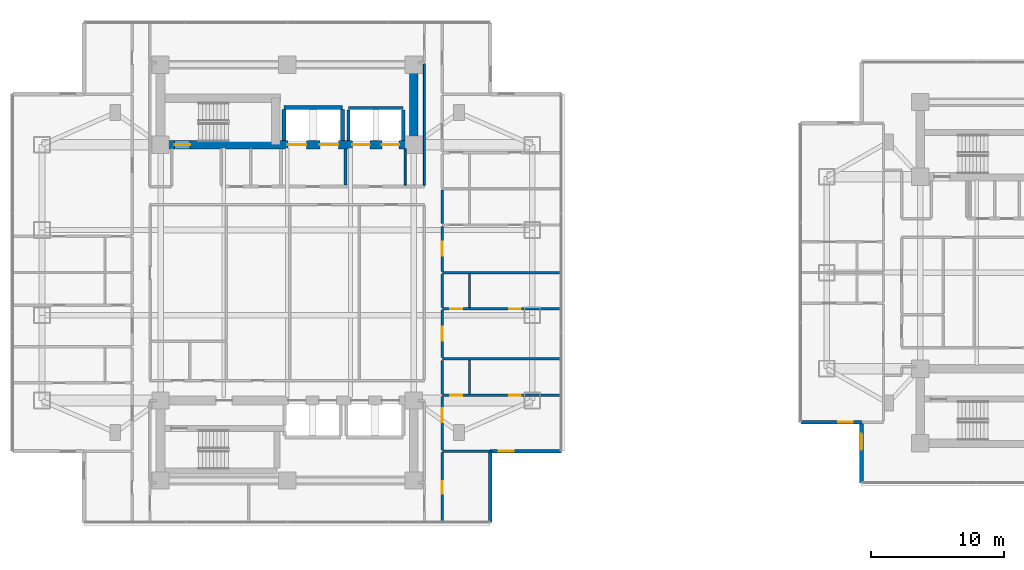
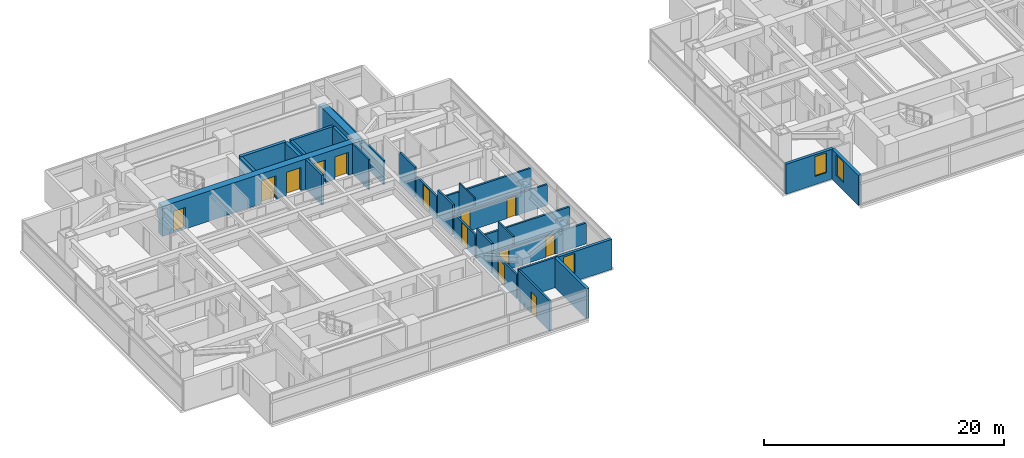
# One storey, part 16 of 27: 29 walls, 13 doors, 3 windows, 16 openings.
"""IFC4 building model written with IfcOpenShell, lengths in metres."""

from ifc_helpers import new_model, si_unit, direction, frame, frame_2d, origin, place, context, subcontext, project, spatial, rectangle, extrude, material, layer, layer_set, type_object, element, fill, save


model = new_model("IFC4")

# Units and contexts
model_context = context("Model", 3, precision=1e-05, world=origin(), true_north=direction((0.0, 1.0)))
body_context = subcontext(model_context, "Body", "Model", "MODEL_VIEW")
ifc_project = project(units=[si_unit("LENGTHUNIT", "METRE"), si_unit("AREAUNIT", "SQUARE_METRE"), si_unit("VOLUMEUNIT", "CUBIC_METRE"), si_unit("PLANEANGLEUNIT", "RADIAN"), si_unit("MASSUNIT", "GRAM", prefix="KILO")], contexts=[model_context])

# Site, building, storey
site_placement = place(None, origin())
site = spatial("IfcSite", under=ifc_project, at=site_placement, CompositionType="ELEMENT")
building_placement = place(site_placement, origin())
building = spatial("IfcBuilding", under=site, at=building_placement, Name="Mirazonda Arch Towers", CompositionType="ELEMENT")
storey_placement = place(building_placement, frame((0.0, 0.0, 52.10009765625)))
storey = spatial("IfcBuildingStorey", under=building, at=storey_placement, Name="L14", CompositionType="ELEMENT", Elevation=52.10009765625)

# Wall
ifc_material_1 = material(Name="Concrete C60/75", Category="concrete")
ifc_layer_1 = layer(ifc_material_1, 0.64990234375, Name="WALL-CORE-650")
ifc_layer_set_1 = layer_set([ifc_layer_1], Name="Concrete C60/75")
wall_type_1 = type_object("IfcWallType", Name="WALL-CORE-650", PredefinedType="SHEAR", material=ifc_layer_set_1)
wall_1_placement = place(storey_placement, frame((30.0, 37.60009765625, 0.0), z_axis=(0.0, 0.0, 1.0), x_axis=(0.0, 1.0, 0.0)))
element("IfcWall", 1, at=wall_1_placement, inside=storey, type_object=wall_type_1, Name="L14 T1N-E Core Shear Wall", PredefinedType="SHEAR", context=body_context, shape_type="SweptSolid", body=[
    extrude(rectangle(XDim=6.0, YDim=0.64990234375, at=frame_2d((3.0, 0.0))), origin(), (0.0, 0.0, 1.0), 3.059814453125),
])

# Wall, openings, doors
wall_2_placement = place(storey_placement, frame((11.0, 37.60009765625, 0.0), z_axis=(0.0, 0.0, 1.0), x_axis=(1.0, 0.0, 0.0)))
wall_2 = element("IfcWall", 2, at=wall_2_placement, inside=storey, type_object=wall_type_1, Name="L14 T1N-S Core Shear Wall", PredefinedType="SHEAR", context=body_context, shape_type="SweptSolid", body=[
    extrude(rectangle(XDim=19.0, YDim=0.64990234375, at=frame_2d((9.5, 0.0))), origin(), (0.0, 0.0, 1.0), 3.059814453125),
])
opening_1_placement = place(wall_2_placement, frame((1.06005859375, 0.0, 0.0)))
opening_1 = element("IfcOpeningElement", 3, at=opening_1_placement, cuts=wall_2, Name="Opening DR-135", PredefinedType="OPENING", context=body_context, shape_type="SweptSolid", body=[
    extrude(rectangle(XDim=1.14990234375, YDim=2.199951171875, at=frame_2d((0.574951171875, 1.10009765625))), frame((0.0, 0.3349609375, 0.0), z_axis=(0.0, -1.0, 0.0), x_axis=(1.0, 0.0, 0.0)), (0.0, 0.0, 1.0), 0.669921875),
])
opening_2_placement = place(wall_2_placement, frame((9.550048828125, 0.0, 0.0)))
opening_2 = element("IfcOpeningElement", 4, at=opening_2_placement, cuts=wall_2, Name="Opening LD-112", PredefinedType="OPENING", context=body_context, shape_type="SweptSolid", body=[
    extrude(rectangle(XDim=1.39990234375, YDim=2.35009765625, at=frame_2d((0.699951171875, 1.175048828125))), frame((0.0, 0.3349609375, 0.0), z_axis=(0.0, -1.0, 0.0), x_axis=(1.0, 0.0, 0.0)), (0.0, 0.0, 1.0), 0.669921875),
])
opening_3_placement = place(wall_2_placement, frame((11.949951171875, 0.0, 0.0)))
opening_3 = element("IfcOpeningElement", 5, at=opening_3_placement, cuts=wall_2, Name="Opening LD-112", PredefinedType="OPENING", context=body_context, shape_type="SweptSolid", body=[
    extrude(rectangle(XDim=1.39990234375, YDim=2.35009765625, at=frame_2d((0.699951171875, 1.175048828125))), frame((0.0, 0.3349609375, 0.0), z_axis=(0.0, -1.0, 0.0), x_axis=(1.0, 0.0, 0.0)), (0.0, 0.0, 1.0), 0.669921875),
])
opening_4_placement = place(wall_2_placement, frame((14.39990234375, 0.0, 0.0)))
opening_4 = element("IfcOpeningElement", 6, at=opening_4_placement, cuts=wall_2, Name="Opening LD-111", PredefinedType="OPENING", context=body_context, shape_type="SweptSolid", body=[
    extrude(rectangle(XDim=1.300048828125, YDim=2.300048828125, at=frame_2d((0.64990234375, 1.14990234375))), frame((0.0, 0.3349609375, 0.0), z_axis=(0.0, -1.0, 0.0), x_axis=(1.0, 0.0, 0.0)), (0.0, 0.0, 1.0), 0.669921875),
])
opening_5_placement = place(wall_2_placement, frame((16.60009765625, 0.0, 0.0)))
opening_5 = element("IfcOpeningElement", 7, at=opening_5_placement, cuts=wall_2, Name="Opening LD-111", PredefinedType="OPENING", context=body_context, shape_type="SweptSolid", body=[
    extrude(rectangle(XDim=1.300048828125, YDim=2.300048828125, at=frame_2d((0.64990234375, 1.14990234375))), frame((0.0, 0.3349609375, 0.0), z_axis=(0.0, -1.0, 0.0), x_axis=(1.0, 0.0, 0.0)), (0.0, 0.0, 1.0), 0.669921875),
])
ifc_material_2 = material(Name="Architectural Brushed Steel S355", Category="steel")
door_type_1 = type_object("IfcDoorType", Name="DOOR-LIFT-FFL-1400", OperationType="NOTDEFINED", PredefinedType="DOOR", material=ifc_material_2)
door_1_placement = place(opening_2_placement, origin())
door_1 = element("IfcDoor", 8, at=door_1_placement, inside=storey, type_object=door_type_1, Name="L14 Lift Landing Sliding Door FFL-T1", OperationType="DOUBLE_DOOR_SLIDING", OverallHeight=2.35009765625, OverallWidth=1.39990234375, PredefinedType="DOOR", context=body_context, shape_type="SweptSolid", body=[
    extrude(rectangle(XDim=1.39990234375, YDim=2.35009765625, at=frame_2d((0.699951171875, 1.175048828125))), frame((0.0, 0.02490234375, 0.0), z_axis=(0.0, -1.0, 0.0), x_axis=(1.0, 0.0, 0.0)), (0.0, 0.0, 1.0), 0.050048828125),
])
fill(opening_2, door_1)
door_2_placement = place(opening_3_placement, origin())
door_2 = element("IfcDoor", 9, at=door_2_placement, inside=storey, type_object=door_type_1, Name="L14 Lift Landing Sliding Door SVL-T1", OperationType="DOUBLE_DOOR_SLIDING", OverallHeight=2.35009765625, OverallWidth=1.39990234375, PredefinedType="DOOR", context=body_context, shape_type="SweptSolid", body=[
    extrude(rectangle(XDim=1.39990234375, YDim=2.35009765625, at=frame_2d((0.699951171875, 1.175048828125))), frame((0.0, 0.02490234375, 0.0), z_axis=(0.0, -1.0, 0.0), x_axis=(1.0, 0.0, 0.0)), (0.0, 0.0, 1.0), 0.050048828125),
])
fill(opening_3, door_2)
door_type_2 = type_object("IfcDoorType", Name="DOOR-LIFT-LAND-1300", OperationType="NOTDEFINED", PredefinedType="DOOR", material=ifc_material_2)
door_3_placement = place(opening_4_placement, origin())
door_3 = element("IfcDoor", 10, at=door_3_placement, inside=storey, type_object=door_type_2, Name="L14 Lift Landing Sliding Door PL-T1L1", OperationType="DOUBLE_DOOR_SLIDING", OverallHeight=2.300048828125, OverallWidth=1.300048828125, PredefinedType="DOOR", context=body_context, shape_type="SweptSolid", body=[
    extrude(rectangle(XDim=1.300048828125, YDim=2.300048828125, at=frame_2d((0.64990234375, 1.14990234375))), frame((0.0, 0.02490234375, 0.0), z_axis=(0.0, -1.0, 0.0), x_axis=(1.0, 0.0, 0.0)), (0.0, 0.0, 1.0), 0.050048828125),
])
fill(opening_4, door_3)
door_4_placement = place(opening_5_placement, origin())
door_4 = element("IfcDoor", 11, at=door_4_placement, inside=storey, type_object=door_type_2, Name="L14 Lift Landing Sliding Door PL-T1L2", OperationType="DOUBLE_DOOR_SLIDING", OverallHeight=2.300048828125, OverallWidth=1.300048828125, PredefinedType="DOOR", context=body_context, shape_type="SweptSolid", body=[
    extrude(rectangle(XDim=1.300048828125, YDim=2.300048828125, at=frame_2d((0.64990234375, 1.14990234375))), frame((0.0, 0.02490234375, 0.0), z_axis=(0.0, -1.0, 0.0), x_axis=(1.0, 0.0, 0.0)), (0.0, 0.0, 1.0), 0.050048828125),
])
fill(opening_5, door_4)
door_type_3 = type_object("IfcDoorType", Name="DOOR-STAIR-FD90-1150", OperationType="NOTDEFINED", PredefinedType="DOOR", material=ifc_material_2)
door_5_placement = place(opening_1_placement, origin())
door_5 = element("IfcDoor", 12, at=door_5_placement, inside=storey, type_object=door_type_3, Name="L14 Protected Exit Stair North Door", OperationType="SINGLE_SWING_LEFT", OverallHeight=2.199951171875, OverallWidth=1.14990234375, PredefinedType="DOOR", context=body_context, shape_type="SweptSolid", body=[
    extrude(rectangle(XDim=1.14990234375, YDim=2.199951171875, at=frame_2d((0.574951171875, 1.10009765625))), frame((0.0, 0.02490234375, 0.0), z_axis=(0.0, -1.0, 0.0), x_axis=(1.0, 0.0, 0.0)), (0.0, 0.0, 1.0), 0.050048828125),
])
fill(opening_1, door_5)

# Wall, opening, window
ifc_material_3 = material(Name="Precast Concrete C40/50", Category="concrete")
ifc_layer_2 = layer(ifc_material_3, 0.280029296875, Name="WALL-EXT-WALL-280")
ifc_layer_set_2 = layer_set([ifc_layer_2], Name="Precast Concrete C40/50")
wall_type_2 = type_object("IfcWallType", Name="WALL-EXT-WALL-280", PredefinedType="SOLIDWALL", material=ifc_layer_set_2)
wall_3_placement = place(storey_placement, frame((35.739990234375, 14.60009765625, 0.0), z_axis=(0.0, 0.0, 1.0), x_axis=(1.0, 0.0, 0.0)))
wall_3 = element("IfcWall", 13, at=wall_3_placement, inside=storey, type_object=wall_type_2, Name="L14 T1 Corner Notch Return Wall WL-L14-T1-CSE1", PredefinedType="SOLIDWALL", context=body_context, shape_type="SweptSolid", body=[
    extrude(rectangle(XDim=5.340087890625, YDim=0.280029296875, at=frame_2d((2.669921875, 0.0))), origin(), (0.0, 0.0, 1.0), 3.039794921875),
])
opening_6_placement = place(wall_3_placement, frame((0.64990234375, 0.0, 0.85009765625)))
opening_6 = element("IfcOpeningElement", 14, at=opening_6_placement, cuts=wall_3, Name="Opening WN-108", PredefinedType="OPENING", context=body_context, shape_type="SweptSolid", body=[
    extrude(rectangle(XDim=1.10009765625, YDim=2.0, at=frame_2d((0.550048828125, 1.0))), frame((0.0, 0.14990234375, 0.0), z_axis=(0.0, -1.0, 0.0), x_axis=(1.0, 0.0, 0.0)), (0.0, 0.0, 1.0), 0.300048828125),
])
ifc_material_4 = material(Name="Insulated Low-E Solar Glass", Category="glass")
window_type_1 = type_object("IfcWindowType", Name="WIN-NOTCH-1100x2000", PartitioningType="SINGLE_PANEL", PredefinedType="WINDOW", material=ifc_material_4)
window_1_placement = place(opening_6_placement, origin())
window_1 = element("IfcWindow", 15, at=window_1_placement, inside=storey, type_object=window_type_1, Name="L14 Punched Facade Window WN-L14-T1-CSE1", OverallHeight=2.0, OverallWidth=1.10009765625, PartitioningType="SINGLE_PANEL", PredefinedType="WINDOW", context=body_context, shape_type="SweptSolid", body=[
    extrude(rectangle(XDim=1.10009765625, YDim=2.0, at=frame_2d((0.550048828125, 1.0))), frame((0.0, 0.030029296875, 0.0), z_axis=(0.0, -1.0, 0.0), x_axis=(1.0, 0.0, 0.0)), (0.0, 0.0, 1.0), 0.06005859375),
])
fill(opening_6, window_1)

# Wall
wall_4_placement = place(storey_placement, frame((35.739990234375, 9.260009765625, 0.0), z_axis=(0.0, 0.0, 1.0), x_axis=(0.0, 1.0, 0.0)))
element("IfcWall", 16, at=wall_4_placement, inside=storey, type_object=wall_type_2, Name="L14 T1 Corner Notch Return Wall WL-L14-T1-CSE2", PredefinedType="SOLIDWALL", context=body_context, shape_type="SweptSolid", body=[
    extrude(rectangle(XDim=5.340087890625, YDim=0.280029296875, at=frame_2d((2.669921875, 0.0))), origin(), (0.0, 0.0, 1.0), 3.039794921875),
])

# Wall, opening, window
wall_5_placement = place(storey_placement, frame((63.60595703125, 16.77001953125, 0.0), z_axis=(0.0, 0.0, 1.0), x_axis=(0.0, -1.0, 0.0)))
wall_5 = element("IfcWall", 17, at=wall_5_placement, inside=storey, type_object=wall_type_2, Name="L14 T2 Notched SW Corner Wall WL-L14-T2-CSW", PredefinedType="SOLIDWALL", context=body_context, shape_type="SweptSolid", body=[
    extrude(rectangle(XDim=4.5458984375, YDim=0.280029296875, at=frame_2d((2.27294921875, 0.0))), origin(), (0.0, 0.0, 1.0), 3.039794921875),
])
opening_7_placement = place(wall_5_placement, frame((0.85009765625, 0.0, 0.7900390625)))
opening_7 = element("IfcOpeningElement", 18, at=opening_7_placement, cuts=wall_5, Name="Opening WN-122", PredefinedType="OPENING", context=body_context, shape_type="SweptSolid", body=[
    extrude(rectangle(XDim=1.199951171875, YDim=2.10009765625, at=frame_2d((0.60009765625, 1.050048828125))), frame((0.0, 0.14990234375, 0.0), z_axis=(0.0, -1.0, 0.0), x_axis=(1.0, 0.0, 0.0)), (0.0, 0.0, 1.0), 0.300048828125),
])
window_type_2 = type_object("IfcWindowType", Name="WIN-HTL-1200x2100", PartitioningType="SINGLE_PANEL", PredefinedType="WINDOW", material=ifc_material_4)
window_2_placement = place(opening_7_placement, origin())
window_2 = element("IfcWindow", 19, at=window_2_placement, inside=storey, type_object=window_type_2, Name="L14 Punched Facade Window WN-L14-T2-CSW", OverallHeight=2.10009765625, OverallWidth=1.199951171875, PartitioningType="SINGLE_PANEL", PredefinedType="WINDOW", context=body_context, shape_type="SweptSolid", body=[
    extrude(rectangle(XDim=1.199951171875, YDim=2.10009765625, at=frame_2d((0.60009765625, 1.050048828125))), frame((0.0, 0.030029296875, 0.0), z_axis=(0.0, -1.0, 0.0), x_axis=(1.0, 0.0, 0.0)), (0.0, 0.0, 1.0), 0.06005859375),
])
fill(opening_7, window_2)

wall_6_placement = place(storey_placement, frame((59.06005859375, 16.77001953125, 0.0), z_axis=(0.0, 0.0, 1.0), x_axis=(1.0, 0.0, 0.0)))
wall_6 = element("IfcWall", 20, at=wall_6_placement, inside=storey, type_object=wall_type_2, Name="L14 T2 Corner Notch Return Wall WL-L14-T2-CSW2", PredefinedType="SOLIDWALL", context=body_context, shape_type="SweptSolid", body=[
    extrude(rectangle(XDim=4.5458984375, YDim=0.280029296875, at=frame_2d((2.27294921875, 0.0))), origin(), (0.0, 0.0, 1.0), 3.039794921875),
])
opening_8_placement = place(wall_6_placement, frame((2.7958984375, 0.0, 0.85009765625)))
opening_8 = element("IfcOpeningElement", 21, at=opening_8_placement, cuts=wall_6, Name="Opening WN-108", PredefinedType="OPENING", context=body_context, shape_type="SweptSolid", body=[
    extrude(rectangle(XDim=1.10009765625, YDim=2.0, at=frame_2d((0.550048828125, 1.0))), frame((0.0, 0.14990234375, 0.0), z_axis=(0.0, -1.0, 0.0), x_axis=(1.0, 0.0, 0.0)), (0.0, 0.0, 1.0), 0.300048828125),
])
window_3_placement = place(opening_8_placement, origin())
window_3 = element("IfcWindow", 22, at=window_3_placement, inside=storey, type_object=window_type_1, Name="L14 Punched Facade Window WN-L14-T2-CSW2", OverallHeight=2.0, OverallWidth=1.10009765625, PartitioningType="SINGLE_PANEL", PredefinedType="WINDOW", context=body_context, shape_type="SweptSolid", body=[
    extrude(rectangle(XDim=1.10009765625, YDim=2.0, at=frame_2d((0.550048828125, 1.0))), frame((0.0, 0.030029296875, 0.0), z_axis=(0.0, -1.0, 0.0), x_axis=(1.0, 0.0, 0.0)), (0.0, 0.0, 1.0), 0.06005859375),
])
fill(opening_8, window_3)

# Walls
ifc_material_5 = material(Name="Concrete C40/50", Category="concrete")
ifc_layer_3 = layer(ifc_material_5, 0.219970703125, Name="WALL-FFL-220")
ifc_layer_set_3 = layer_set([ifc_layer_3], Name="Concrete C40/50")
wall_type_3 = type_object("IfcWallType", Name="WALL-FFL-220", PredefinedType="SOLIDWALL", material=ifc_layer_set_3)
wall_7_placement = place(storey_placement, frame((24.875, 34.570068359375, 0.0), z_axis=(0.0, 0.0, 1.0), x_axis=(0.0, 1.0, 0.0)))
element("IfcWall", 23, at=wall_7_placement, inside=storey, type_object=wall_type_3, Name="L14 Interior Partition 096", PredefinedType="SOLIDWALL", context=body_context, shape_type="SweptSolid", body=[
    extrude(rectangle(XDim=2.7099609375, YDim=0.219970703125, at=frame_2d((1.35498046875, 0.0))), origin(), (0.0, 0.0, 1.0), 3.059814453125),
])
ifc_material_6 = material(Name="Fire-Rated Gypsum Stud Partition")
ifc_layer_4 = layer(ifc_material_6, 0.14990234375, Name="WALL-PART-CORR-150")
ifc_layer_set_4 = layer_set([ifc_layer_4], Name="Fire-Rated Gypsum Stud Partition")
wall_type_4 = type_object("IfcWallType", Name="WALL-PART-CORR-150", PredefinedType="PARTITIONING", material=ifc_layer_set_4)
wall_8_placement = place(storey_placement, frame((29.35009765625, 34.570068359375, 0.0), z_axis=(0.0, 0.0, 1.0), x_axis=(0.0, 1.0, 0.0)))
element("IfcWall", 24, at=wall_8_placement, inside=storey, type_object=wall_type_4, Name="L14 Interior Partition 100", PredefinedType="PARTITIONING", context=body_context, shape_type="SweptSolid", body=[
    extrude(rectangle(XDim=2.7099609375, YDim=0.14990234375, at=frame_2d((1.35498046875, 0.0))), origin(), (0.0, 0.0, 1.0), 3.059814453125),
])
wall_9_placement = place(storey_placement, frame((30.800048828125, 34.570068359375, 0.0), z_axis=(0.0, 0.0, 1.0), x_axis=(0.0, 1.0, 0.0)))
element("IfcWall", 25, at=wall_9_placement, inside=storey, type_object=wall_type_4, Name="L14 Interior Partition 105", PredefinedType="PARTITIONING", context=body_context, shape_type="SweptSolid", body=[
    extrude(rectangle(XDim=9.094970703125, YDim=0.14990234375, at=frame_2d((4.54736328125, 0.0))), origin(), (0.0, 0.0, 1.0), 2.435791015625),
])
ifc_material_7 = material(Name="Fire-Rated Gypsum Twin-Stud Assembly")
ifc_layer_5 = layer(ifc_material_7, 0.179931640625, Name="WALL-PART-DEMISE-180")
ifc_layer_set_5 = layer_set([ifc_layer_5], Name="Fire-Rated Gypsum Twin-Stud Assembly")
wall_type_5 = type_object("IfcWallType", Name="WALL-PART-DEMISE-180", PredefinedType="PARTITIONING", material=ifc_layer_set_5)
wall_10_placement = place(storey_placement, frame((32.139892578125, 14.60009765625, 0.0), z_axis=(0.0, 0.0, 1.0), x_axis=(1.0, 0.0, 0.0)))
element("IfcWall", 26, at=wall_10_placement, inside=storey, type_object=wall_type_5, Name="L14 Interior Partition 005", PredefinedType="PARTITIONING", context=body_context, shape_type="SweptSolid", body=[
    extrude(rectangle(XDim=3.580078125, YDim=0.179931640625, at=frame_2d((1.7900390625, 0.0))), origin(), (0.0, 0.0, 1.0), 3.059814453125),
])

# Wall, openings, doors
wall_11_placement = place(storey_placement, frame((32.139892578125, 18.804931640625, 0.0), z_axis=(0.0, 0.0, 1.0), x_axis=(1.0, 0.0, 0.0)))
wall_11 = element("IfcWall", 27, at=wall_11_placement, inside=storey, type_object=wall_type_5, Name="L14 Interior Partition 015", PredefinedType="PARTITIONING", context=body_context, shape_type="SweptSolid", body=[
    extrude(rectangle(XDim=8.940185546875, YDim=0.179931640625, at=frame_2d((4.47021484375, 0.0))), origin(), (0.0, 0.0, 1.0), 2.125),
])
opening_9_placement = place(wall_11_placement, frame((5.044921875, 0.0, 0.0)))
opening_9 = element("IfcOpeningElement", 28, at=opening_9_placement, cuts=wall_11, Name="Opening DR-128", PredefinedType="OPENING", context=body_context, shape_type="SweptSolid", body=[
    extrude(rectangle(XDim=0.85009765625, YDim=2.010009765625, at=frame_2d((0.425048828125, 1.0048828125))), frame((0.0, 0.099853515625, 0.0), z_axis=(0.0, -1.0, 0.0), x_axis=(1.0, 0.0, 0.0)), (0.0, 0.0, 1.0), 0.199951171875),
])
opening_10_placement = place(wall_11_placement, frame((0.590087890625, 0.0, 0.0)))
opening_10 = element("IfcOpeningElement", 29, at=opening_10_placement, cuts=wall_11, Name="Opening DR-120", PredefinedType="OPENING", context=body_context, shape_type="SweptSolid", body=[
    extrude(rectangle(XDim=0.89990234375, YDim=2.10009765625, at=frame_2d((0.449951171875, 1.050048828125))), frame((0.0, 0.099853515625, 0.0), z_axis=(0.0, -1.0, 0.0), x_axis=(1.0, 0.0, 0.0)), (0.0, 0.0, 1.0), 0.199951171875),
])
door_type_4 = type_object("IfcDoorType", Name="DOOR-RISER-FD60-850", OperationType="NOTDEFINED", PredefinedType="DOOR", material=ifc_material_2)
door_6_placement = place(opening_9_placement, origin())
door_6 = element("IfcDoor", 30, at=door_6_placement, inside=storey, type_object=door_type_4, Name="L14 Guestroom Study 1 Door", OperationType="SINGLE_SWING_LEFT", OverallHeight=2.010009765625, OverallWidth=0.85009765625, PredefinedType="DOOR", context=body_context, shape_type="SweptSolid", body=[
    extrude(rectangle(XDim=0.85009765625, YDim=2.010009765625, at=frame_2d((0.425048828125, 1.0048828125))), frame((0.0, 0.02490234375, 0.0), z_axis=(0.0, -1.0, 0.0), x_axis=(1.0, 0.0, 0.0)), (0.0, 0.0, 1.0), 0.050048828125),
])
fill(opening_9, door_6)
door_type_5 = type_object("IfcDoorType", Name="DOOR-WC-900", OperationType="NOTDEFINED", PredefinedType="DOOR", material=ifc_material_2)
door_7_placement = place(opening_10_placement, origin())
door_7 = element("IfcDoor", 31, at=door_7_placement, inside=storey, type_object=door_type_5, Name="L14 En-Suite Bathroom 1 Door", OperationType="SINGLE_SWING_RIGHT", OverallHeight=2.10009765625, OverallWidth=0.89990234375, PredefinedType="DOOR", context=body_context, shape_type="SweptSolid", body=[
    extrude(rectangle(XDim=0.89990234375, YDim=2.10009765625, at=frame_2d((0.449951171875, 1.050048828125))), frame((0.0, 0.02490234375, 0.0), z_axis=(0.0, -1.0, 0.0), x_axis=(1.0, 0.0, 0.0)), (0.0, 0.0, 1.0), 0.050048828125),
])
fill(opening_10, door_7)

# Wall
wall_12_placement = place(storey_placement, frame((32.139892578125, 21.52490234375, 0.0), z_axis=(0.0, 0.0, 1.0), x_axis=(1.0, 0.0, 0.0)))
element("IfcWall", 32, at=wall_12_placement, inside=storey, type_object=wall_type_5, Name="L14 Interior Partition 022", PredefinedType="PARTITIONING", context=body_context, shape_type="SweptSolid", body=[
    extrude(rectangle(XDim=8.940185546875, YDim=0.179931640625, at=frame_2d((4.47021484375, 0.0))), origin(), (0.0, 0.0, 1.0), 2.125),
])

# Wall, openings, doors
wall_13_placement = place(storey_placement, frame((32.139892578125, 25.280029296875, 0.0), z_axis=(0.0, 0.0, 1.0), x_axis=(1.0, 0.0, 0.0)))
wall_13 = element("IfcWall", 33, at=wall_13_placement, inside=storey, type_object=wall_type_5, Name="L14 Interior Partition 028", PredefinedType="PARTITIONING", context=body_context, shape_type="SweptSolid", body=[
    extrude(rectangle(XDim=8.940185546875, YDim=0.179931640625, at=frame_2d((4.47021484375, 0.0))), origin(), (0.0, 0.0, 1.0), 2.125),
])
opening_11_placement = place(wall_13_placement, frame((5.044921875, 0.0, 0.0)))
opening_11 = element("IfcOpeningElement", 34, at=opening_11_placement, cuts=wall_13, Name="Opening DR-128", PredefinedType="OPENING", context=body_context, shape_type="SweptSolid", body=[
    extrude(rectangle(XDim=0.85009765625, YDim=2.010009765625, at=frame_2d((0.425048828125, 1.0048828125))), frame((0.0, 0.099853515625, 0.0), z_axis=(0.0, -1.0, 0.0), x_axis=(1.0, 0.0, 0.0)), (0.0, 0.0, 1.0), 0.199951171875),
])
opening_12_placement = place(wall_13_placement, frame((0.590087890625, 0.0, 0.0)))
opening_12 = element("IfcOpeningElement", 35, at=opening_12_placement, cuts=wall_13, Name="Opening DR-120", PredefinedType="OPENING", context=body_context, shape_type="SweptSolid", body=[
    extrude(rectangle(XDim=0.89990234375, YDim=2.10009765625, at=frame_2d((0.449951171875, 1.050048828125))), frame((0.0, 0.099853515625, 0.0), z_axis=(0.0, -1.0, 0.0), x_axis=(1.0, 0.0, 0.0)), (0.0, 0.0, 1.0), 0.199951171875),
])
door_8_placement = place(opening_11_placement, origin())
door_8 = element("IfcDoor", 36, at=door_8_placement, inside=storey, type_object=door_type_4, Name="L14 Guestroom Study 2 Door", OperationType="SINGLE_SWING_RIGHT", OverallHeight=2.010009765625, OverallWidth=0.85009765625, PredefinedType="DOOR", context=body_context, shape_type="SweptSolid", body=[
    extrude(rectangle(XDim=0.85009765625, YDim=2.010009765625, at=frame_2d((0.425048828125, 1.0048828125))), frame((0.0, 0.02490234375, 0.0), z_axis=(0.0, -1.0, 0.0), x_axis=(1.0, 0.0, 0.0)), (0.0, 0.0, 1.0), 0.050048828125),
])
fill(opening_11, door_8)
door_9_placement = place(opening_12_placement, origin())
door_9 = element("IfcDoor", 37, at=door_9_placement, inside=storey, type_object=door_type_5, Name="L14 En-Suite Bathroom 2 Door", OperationType="SINGLE_SWING_LEFT", OverallHeight=2.10009765625, OverallWidth=0.89990234375, PredefinedType="DOOR", context=body_context, shape_type="SweptSolid", body=[
    extrude(rectangle(XDim=0.89990234375, YDim=2.10009765625, at=frame_2d((0.449951171875, 1.050048828125))), frame((0.0, 0.02490234375, 0.0), z_axis=(0.0, -1.0, 0.0), x_axis=(1.0, 0.0, 0.0)), (0.0, 0.0, 1.0), 0.050048828125),
])
fill(opening_12, door_9)

# Wall
wall_14_placement = place(storey_placement, frame((32.139892578125, 28.0, 0.0), z_axis=(0.0, 0.0, 1.0), x_axis=(1.0, 0.0, 0.0)))
element("IfcWall", 38, at=wall_14_placement, inside=storey, type_object=wall_type_5, Name="L14 Interior Partition 034", PredefinedType="PARTITIONING", context=body_context, shape_type="SweptSolid", body=[
    extrude(rectangle(XDim=8.940185546875, YDim=0.179931640625, at=frame_2d((4.47021484375, 0.0))), origin(), (0.0, 0.0, 1.0), 2.125),
])

# Wall, opening, door
wall_15_placement = place(storey_placement, frame((32.139892578125, 9.260009765625, 0.0), z_axis=(0.0, 0.0, 1.0), x_axis=(0.0, 1.0, 0.0)))
wall_15 = element("IfcWall", 39, at=wall_15_placement, inside=storey, type_object=wall_type_5, Name="L14 Interior Partition 107", PredefinedType="PARTITIONING", context=body_context, shape_type="SweptSolid", body=[
    extrude(rectangle(XDim=5.239990234375, YDim=0.179931640625, at=frame_2d((2.6201171875, 0.0))), origin(), (0.0, 0.0, 1.0), 3.059814453125),
])
opening_13_placement = place(wall_15_placement, frame((2.14501953125, 0.0, 0.0)))
opening_13 = element("IfcOpeningElement", 40, at=opening_13_placement, cuts=wall_15, Name="Opening DR-104", PredefinedType="OPENING", context=body_context, shape_type="SweptSolid", body=[
    extrude(rectangle(XDim=0.949951171875, YDim=2.14990234375, at=frame_2d((0.47509765625, 1.074951171875))), frame((0.0, 0.099853515625, 0.0), z_axis=(0.0, -1.0, 0.0), x_axis=(1.0, 0.0, 0.0)), (0.0, 0.0, 1.0), 0.199951171875),
])
door_type_6 = type_object("IfcDoorType", Name="DOOR-ROOM-950", OperationType="NOTDEFINED", PredefinedType="DOOR", material=ifc_material_2)
door_10_placement = place(opening_13_placement, origin())
door_10 = element("IfcDoor", 41, at=door_10_placement, inside=storey, type_object=door_type_6, Name="L14 South Horizon Lounge Alcove East Door", OperationType="SINGLE_SWING_RIGHT", OverallHeight=2.14990234375, OverallWidth=0.949951171875, PredefinedType="DOOR", context=body_context, shape_type="SweptSolid", body=[
    extrude(rectangle(XDim=0.949951171875, YDim=2.14990234375, at=frame_2d((0.47509765625, 1.074951171875))), frame((0.0, 0.02490234375, 0.0), z_axis=(0.0, -1.0, 0.0), x_axis=(1.0, 0.0, 0.0)), (0.0, 0.0, 1.0), 0.050048828125),
])
fill(opening_13, door_10)

wall_16_placement = place(storey_placement, frame((32.139892578125, 14.699951171875, 0.0), z_axis=(0.0, 0.0, 1.0), x_axis=(0.0, 1.0, 0.0)))
wall_16 = element("IfcWall", 42, at=wall_16_placement, inside=storey, type_object=wall_type_5, Name="L14 Interior Partition 108", PredefinedType="PARTITIONING", context=body_context, shape_type="SweptSolid", body=[
    extrude(rectangle(XDim=4.005126953125, YDim=0.179931640625, at=frame_2d((2.00244140625, 0.0))), origin(), (0.0, 0.0, 1.0), 2.435791015625),
])
opening_14_placement = place(wall_16_placement, frame((2.077392578125, 0.0, 0.0)))
opening_14 = element("IfcOpeningElement", 43, at=opening_14_placement, cuts=wall_16, Name="Opening DR-121", PredefinedType="OPENING", context=body_context, shape_type="SweptSolid", body=[
    extrude(rectangle(XDim=1.050048828125, YDim=2.199951171875, at=frame_2d((0.52490234375, 1.10009765625))), frame((0.0, 0.099853515625, 0.0), z_axis=(0.0, -1.0, 0.0), x_axis=(1.0, 0.0, 0.0)), (0.0, 0.0, 1.0), 0.199951171875),
])
door_type_7 = type_object("IfcDoorType", Name="DOOR-SUITE-FD60-1050", OperationType="NOTDEFINED", PredefinedType="DOOR", material=ifc_material_2)
door_11_placement = place(opening_14_placement, origin())
door_11 = element("IfcDoor", 44, at=door_11_placement, inside=storey, type_object=door_type_7, Name="L14 King Hotel Guestroom 1 Door", OperationType="SINGLE_SWING_RIGHT", OverallHeight=2.199951171875, OverallWidth=1.050048828125, PredefinedType="DOOR", context=body_context, shape_type="SweptSolid", body=[
    extrude(rectangle(XDim=1.050048828125, YDim=2.199951171875, at=frame_2d((0.52490234375, 1.10009765625))), frame((0.0, 0.02490234375, 0.0), z_axis=(0.0, -1.0, 0.0), x_axis=(1.0, 0.0, 0.0)), (0.0, 0.0, 1.0), 0.050048828125),
])
fill(opening_14, door_11)

# Wall
wall_17_placement = place(storey_placement, frame((32.139892578125, 18.905029296875, 0.0), z_axis=(0.0, 0.0, 1.0), x_axis=(0.0, 1.0, 0.0)))
element("IfcWall", 45, at=wall_17_placement, inside=storey, type_object=wall_type_5, Name="L14 Interior Partition 109", PredefinedType="PARTITIONING", context=body_context, shape_type="SweptSolid", body=[
    extrude(rectangle(XDim=2.52001953125, YDim=0.179931640625, at=frame_2d((1.260009765625, 0.0))), origin(), (0.0, 0.0, 1.0), 3.059814453125),
])

# Wall, opening, door
wall_18_placement = place(storey_placement, frame((32.139892578125, 21.625, 0.0), z_axis=(0.0, 0.0, 1.0), x_axis=(0.0, 1.0, 0.0)))
wall_18 = element("IfcWall", 46, at=wall_18_placement, inside=storey, type_object=wall_type_5, Name="L14 Interior Partition 110", PredefinedType="PARTITIONING", context=body_context, shape_type="SweptSolid", body=[
    extrude(rectangle(XDim=3.554931640625, YDim=0.179931640625, at=frame_2d((1.77734375, 0.0))), origin(), (0.0, 0.0, 1.0), 2.27880859375),
])
opening_15_placement = place(wall_18_placement, frame((1.25244140625, 0.0, 0.0)))
opening_15 = element("IfcOpeningElement", 47, at=opening_15_placement, cuts=wall_18, Name="Opening DR-121", PredefinedType="OPENING", context=body_context, shape_type="SweptSolid", body=[
    extrude(rectangle(XDim=1.050048828125, YDim=2.199951171875, at=frame_2d((0.52490234375, 1.10009765625))), frame((0.0, 0.099853515625, 0.0), z_axis=(0.0, -1.0, 0.0), x_axis=(1.0, 0.0, 0.0)), (0.0, 0.0, 1.0), 0.199951171875),
])
door_12_placement = place(opening_15_placement, origin())
door_12 = element("IfcDoor", 48, at=door_12_placement, inside=storey, type_object=door_type_7, Name="L14 Twin Hotel Guestroom 2 Door", OperationType="SINGLE_SWING_LEFT", OverallHeight=2.199951171875, OverallWidth=1.050048828125, PredefinedType="DOOR", context=body_context, shape_type="SweptSolid", body=[
    extrude(rectangle(XDim=1.050048828125, YDim=2.199951171875, at=frame_2d((0.52490234375, 1.10009765625))), frame((0.0, 0.02490234375, 0.0), z_axis=(0.0, -1.0, 0.0), x_axis=(1.0, 0.0, 0.0)), (0.0, 0.0, 1.0), 0.050048828125),
])
fill(opening_15, door_12)

# Wall
wall_19_placement = place(storey_placement, frame((32.139892578125, 25.3798828125, 0.0), z_axis=(0.0, 0.0, 1.0), x_axis=(0.0, 1.0, 0.0)))
element("IfcWall", 49, at=wall_19_placement, inside=storey, type_object=wall_type_5, Name="L14 Interior Partition 111", PredefinedType="PARTITIONING", context=body_context, shape_type="SweptSolid", body=[
    extrude(rectangle(XDim=2.52001953125, YDim=0.179931640625, at=frame_2d((1.260009765625, 0.0))), origin(), (0.0, 0.0, 1.0), 3.059814453125),
])

# Wall, opening, door
wall_20_placement = place(storey_placement, frame((32.139892578125, 28.10009765625, 0.0), z_axis=(0.0, 0.0, 1.0), x_axis=(0.0, 1.0, 0.0)))
wall_20 = element("IfcWall", 50, at=wall_20_placement, inside=storey, type_object=wall_type_5, Name="L14 Interior Partition 112", PredefinedType="PARTITIONING", context=body_context, shape_type="SweptSolid", body=[
    extrude(rectangle(XDim=3.3759765625, YDim=0.179931640625, at=frame_2d((1.68798828125, 0.0))), origin(), (0.0, 0.0, 1.0), 2.27880859375),
])
opening_16_placement = place(wall_20_placement, frame((1.1630859375, 0.0, 0.0)))
opening_16 = element("IfcOpeningElement", 51, at=opening_16_placement, cuts=wall_20, Name="Opening DR-121", PredefinedType="OPENING", context=body_context, shape_type="SweptSolid", body=[
    extrude(rectangle(XDim=1.050048828125, YDim=2.199951171875, at=frame_2d((0.52490234375, 1.10009765625))), frame((0.0, 0.099853515625, 0.0), z_axis=(0.0, -1.0, 0.0), x_axis=(1.0, 0.0, 0.0)), (0.0, 0.0, 1.0), 0.199951171875),
])
door_13_placement = place(opening_16_placement, origin())
door_13 = element("IfcDoor", 52, at=door_13_placement, inside=storey, type_object=door_type_7, Name="L14 King Hotel Guestroom 3 Door", OperationType="SINGLE_SWING_RIGHT", OverallHeight=2.199951171875, OverallWidth=1.050048828125, PredefinedType="DOOR", context=body_context, shape_type="SweptSolid", body=[
    extrude(rectangle(XDim=1.050048828125, YDim=2.199951171875, at=frame_2d((0.52490234375, 1.10009765625))), frame((0.0, 0.02490234375, 0.0), z_axis=(0.0, -1.0, 0.0), x_axis=(1.0, 0.0, 0.0)), (0.0, 0.0, 1.0), 0.050048828125),
])
fill(opening_16, door_13)

# Walls
wall_21_placement = place(storey_placement, frame((32.139892578125, 31.676025390625, 0.0), z_axis=(0.0, 0.0, 1.0), x_axis=(0.0, 1.0, 0.0)))
element("IfcWall", 53, at=wall_21_placement, inside=storey, type_object=wall_type_5, Name="L14 Interior Partition 113", PredefinedType="PARTITIONING", context=body_context, shape_type="SweptSolid", body=[
    extrude(rectangle(XDim=2.54150390625, YDim=0.179931640625, at=frame_2d((1.270751953125, 0.0))), origin(), (0.0, 0.0, 1.0), 3.059814453125),
])
ifc_material_8 = material(Name="Acoustic Fire-Rated Gypsum Partition")
ifc_layer_6 = layer(ifc_material_8, 0.125, Name="WALL-PART-UNIT-125")
ifc_layer_set_6 = layer_set([ifc_layer_6], Name="Acoustic Fire-Rated Gypsum Partition")
wall_type_6 = type_object("IfcWallType", Name="WALL-PART-UNIT-125", PredefinedType="PARTITIONING", material=ifc_layer_set_6)
for number, where, z_axis, x_axis, name in (
    (54, (34.179931640625, 18.905029296875, 0.0), (0.0, 0.0, 1.0), (0.0, 1.0, 0.0), "L14 Interior Partition 117"),
    (55, (34.179931640625, 25.3798828125, 0.0), (0.0, 0.0, 1.0), (0.0, 1.0, 0.0), "L14 Interior Partition 118"),
):
    element("IfcWall", number, at=place(storey_placement, frame(where, z_axis=z_axis, x_axis=x_axis)), inside=storey, type_object=wall_type_6, Name=name, PredefinedType="PARTITIONING", context=body_context, shape_type="SweptSolid", body=[
        extrude(rectangle(XDim=2.52001953125, YDim=0.125, at=frame_2d((1.260009765625, 0.0))), origin(), (0.0, 0.0, 1.0), 3.059814453125),
    ])
ifc_layer_7 = layer(ifc_material_5, 0.25, Name="WALL-SHAFT-250")
ifc_layer_set_7 = layer_set([ifc_layer_7], Name="Concrete C40/50")
wall_type_7 = type_object("IfcWallType", Name="WALL-SHAFT-250", PredefinedType="SOLIDWALL", material=ifc_layer_set_7)
wall_22_placement = place(storey_placement, frame((25.10009765625, 40.35009765625, 0.0), z_axis=(0.0, 0.0, 1.0), x_axis=(1.0, 0.0, 0.0)))
element("IfcWall", 56, at=wall_22_placement, inside=storey, type_object=wall_type_7, Name="L14 Interior Partition 057", PredefinedType="SOLIDWALL", context=body_context, shape_type="SweptSolid", body=[
    extrude(rectangle(XDim=4.099853515625, YDim=0.25, at=frame_2d((2.0498046875, 0.0))), origin(), (0.0, 0.0, 1.0), 3.059814453125),
])
for number, where, z_axis, x_axis, name in (
    (57, (25.10009765625, 37.919921875, 0.0), (0.0, 0.0, 1.0), (0.0, 1.0, 0.0), "L14 Interior Partition 097"),
    (58, (29.199951171875, 37.919921875, 0.0), (0.0, 0.0, 1.0), (0.0, 1.0, 0.0), "L14 Interior Partition 101"),
):
    element("IfcWall", number, at=place(storey_placement, frame(where, z_axis=z_axis, x_axis=x_axis)), inside=storey, type_object=wall_type_7, Name=name, PredefinedType="SOLIDWALL", context=body_context, shape_type="SweptSolid", body=[
        extrude(rectangle(XDim=2.295166015625, YDim=0.25, at=frame_2d((1.1474609375, 0.0))), origin(), (0.0, 0.0, 1.0), 3.059814453125),
    ])
ifc_material_9 = material(Name="Concrete C50/60", Category="concrete")
ifc_layer_8 = layer(ifc_material_9, 0.300048828125, Name="WALL-SHAFT-300")
ifc_layer_set_8 = layer_set([ifc_layer_8], Name="Concrete C50/60")
wall_type_8 = type_object("IfcWallType", Name="WALL-SHAFT-300", PredefinedType="SOLIDWALL", material=ifc_layer_set_8)
wall_23_placement = place(storey_placement, frame((20.25, 40.39990234375, 0.0), z_axis=(0.0, 0.0, 1.0), x_axis=(1.0, 0.0, 0.0)))
element("IfcWall", 59, at=wall_23_placement, inside=storey, type_object=wall_type_8, Name="L14 Interior Partition 058", PredefinedType="SOLIDWALL", context=body_context, shape_type="SweptSolid", body=[
    extrude(rectangle(XDim=4.39990234375, YDim=0.300048828125, at=frame_2d((2.199951171875, 0.0))), origin(), (0.0, 0.0, 1.0), 3.059814453125),
])
for number, where, z_axis, x_axis, name in (
    (60, (20.25, 37.919921875, 0.0), (0.0, 0.0, 1.0), (0.0, 1.0, 0.0), "L14 Interior Partition 091"),
    (61, (24.64990234375, 37.919921875, 0.0), (0.0, 0.0, 1.0), (0.0, 1.0, 0.0), "L14 Interior Partition 094"),
):
    element("IfcWall", number, at=place(storey_placement, frame(where, z_axis=z_axis, x_axis=x_axis)), inside=storey, type_object=wall_type_8, Name=name, PredefinedType="SOLIDWALL", context=body_context, shape_type="SweptSolid", body=[
        extrude(rectangle(XDim=2.320068359375, YDim=0.300048828125, at=frame_2d((1.16015625, 0.0))), origin(), (0.0, 0.0, 1.0), 3.059814453125),
    ])

save(model, "model.ifc")
